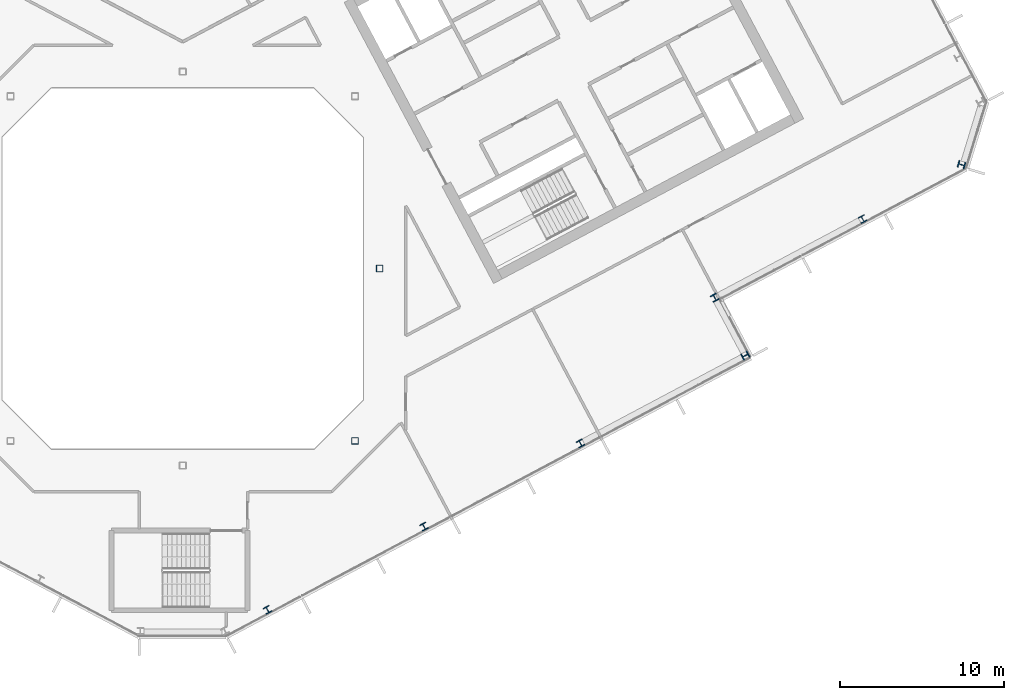
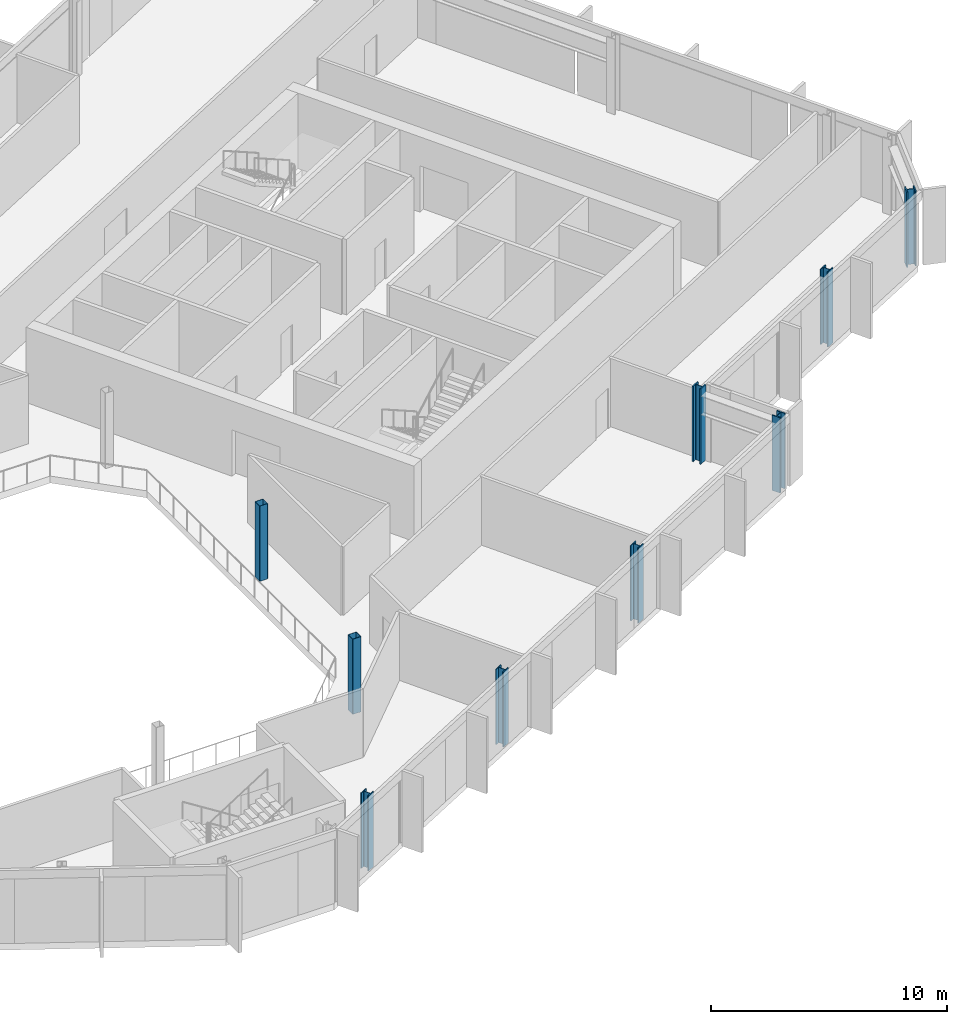
# One storey, part 5 of 26: 9 columns.
"""IFC4 building model written with IfcOpenShell, lengths in metres."""

from ifc_helpers import new_model, si_unit, direction, frame, origin, origin_2d, place, context, subcontext, project, spatial, hollow_rectangle, i_section, extrude, material, material_profile, profile_set, type_object, element, save


model = new_model("IFC4")

# Units and contexts
model_context = context("Model", 3, precision=1e-05, world=origin(), true_north=direction((0.0, 1.0)))
body_context = subcontext(model_context, "Body", "Model", "MODEL_VIEW")
ifc_project = project(units=[si_unit("LENGTHUNIT", "METRE"), si_unit("AREAUNIT", "SQUARE_METRE"), si_unit("VOLUMEUNIT", "CUBIC_METRE"), si_unit("PLANEANGLEUNIT", "RADIAN"), si_unit("MASSUNIT", "GRAM", prefix="KILO")], contexts=[model_context])

# Site, building, storey
site_placement = place(None, origin())
site = spatial("IfcSite", under=ifc_project, at=site_placement, CompositionType="ELEMENT")
building_placement = place(site_placement, origin())
building = spatial("IfcBuilding", under=site, at=building_placement, Name="Cormorant Relay Tower", CompositionType="ELEMENT")
storey_placement = place(building_placement, frame((0.0, 0.0, 228.60009765625)))
storey = spatial("IfcBuildingStorey", under=building, at=storey_placement, Name="L50", CompositionType="ELEMENT", Elevation=228.60009765625)

# Columns
ifc_material_1 = material(Name="Steel ASTM A500 Grade C (Fy 345 MPa)", Category="steel")
ifc_material_profile_1 = material_profile(ifc_material_1, hollow_rectangle(XDim=0.406494140625, YDim=0.406494140625, WallThickness=0.0146484375, InnerFilletRadius=0.00732421875, OuterFilletRadius=0.022216796875, at=origin_2d()), Name="HSS406x406x15")
ifc_profile_set_1 = profile_set([ifc_material_profile_1], Name="Steel ASTM A500 Grade C (Fy 345 MPa)")
column_type_1 = type_object("IfcColumnType", Name="Column HSS406x406x15", PredefinedType="COLUMN", material=ifc_profile_set_1)
for number, where, z_axis, x_axis, name in (
    (1, (10.5, -10.5, 0.0), (0.0, 0.0, 1.0), (1.0, 0.0, 0.0), "Column L50-010"),
    (2, (12.0, 0.0, 0.0), (0.0, 0.0, 1.0), (1.0, 0.0, 0.0), "Column L50-016"),
):
    element("IfcColumn", number, at=place(storey_placement, frame(where, z_axis=z_axis, x_axis=x_axis)), inside=storey, type_object=column_type_1, Name=name, PredefinedType="COLUMN", context=body_context, shape_type="SweptSolid", body=[
        extrude(hollow_rectangle(XDim=0.406494140625, YDim=0.406494140625, WallThickness=0.0146484375, InnerFilletRadius=0.00732421875, OuterFilletRadius=0.022216796875, at=origin_2d()), origin(), (0.0, 0.0, 1.0), 3.89990234375),
    ])
ifc_material_2 = material(Name="Steel ASTM A992 (Fy 345 MPa)", Category="steel")
ifc_material_profile_2 = material_profile(ifc_material_2, i_section(OverallWidth=0.40380859375, OverallDepth=0.406494140625, WebThickness=0.027099609375, FlangeThickness=0.043701171875, FilletRadius=0.01513671875, at=origin_2d()), Name="W360x347")
ifc_profile_set_2 = profile_set([ifc_material_profile_2], Name="Steel ASTM A992 (Fy 345 MPa)")
column_type_2 = type_object("IfcColumnType", Name="Column W360x347", PredefinedType="COLUMN", material=ifc_profile_set_2)
for number, where, z_axis, x_axis, name in (
    (3, (5.1689453125, -20.798095703125, 0.0), (0.0, 0.0, 1.0), (0.882947592859, 0.469471562786, 0.0), "Column L50-003"),
    (4, (14.705078125, -15.72705078125, 0.0), (0.0, 0.0, 1.0), (0.882947592859, 0.469471562786, 0.0), "Column L50-005"),
    (5, (24.240966796875, -10.656982421875, 0.0), (0.0, 0.0, 1.0), (0.882947592859, 0.469471562786, 0.0), "Column L50-008"),
    (6, (41.43408203125, 3.014892578125, 0.0), (0.0, 0.0, 1.0), (0.882947592859, 0.469471562786, 0.0), "Column L50-019"),
):
    element("IfcColumn", number, at=place(storey_placement, frame(where, z_axis=z_axis, x_axis=x_axis)), inside=storey, type_object=column_type_2, Name=name, PredefinedType="COLUMN", context=body_context, shape_type="SweptSolid", body=[
        extrude(i_section(OverallWidth=0.40380859375, OverallDepth=0.406494140625, WebThickness=0.027099609375, FlangeThickness=0.043701171875, FilletRadius=0.01513671875, at=origin_2d()), origin(), (0.0, 0.0, 1.0), 3.89990234375),
    ])
ifc_material_3 = material(Name="Steel ASTM A992 (Fy 345 MPa)", Category="steel")
ifc_material_profile_3 = material_profile(ifc_material_3, i_section(OverallWidth=0.41162109375, OverallDepth=0.434326171875, WebThickness=0.035888671875, FlangeThickness=0.057373046875, FilletRadius=0.01513671875, at=origin_2d()), Name="W360x463")
ifc_profile_set_3 = profile_set([ifc_material_profile_3], Name="Steel ASTM A992 (Fy 345 MPa)")
column_type_3 = type_object("IfcColumnType", Name="Column W360x463", PredefinedType="COLUMN", material=ifc_profile_set_3)
for number, where, z_axis, x_axis, name in (
    (7, (34.284912109375, -5.305908203125, 0.0), (0.0, 0.0, 1.0), (-0.469471562786, 0.882947592859, 0.0), "Column L50-012"),
    (8, (32.4169921875, -1.777099609375, 0.0), (0.0, 0.0, 1.0), (0.882947592859, 0.469471562786, 0.0), "Column L50-014"),
    (9, (47.458984375, 6.325927734375, 0.0), (0.0, 0.0, 1.0), (0.292371704723, 0.956304755963, 0.0), "Column L50-020"),
):
    element("IfcColumn", number, at=place(storey_placement, frame(where, z_axis=z_axis, x_axis=x_axis)), inside=storey, type_object=column_type_3, Name=name, PredefinedType="COLUMN", context=body_context, shape_type="SweptSolid", body=[
        extrude(i_section(OverallWidth=0.41162109375, OverallDepth=0.434326171875, WebThickness=0.035888671875, FlangeThickness=0.057373046875, FilletRadius=0.01513671875, at=origin_2d()), origin(), (0.0, 0.0, 1.0), 3.89990234375),
    ])

save(model, "model.ifc")
